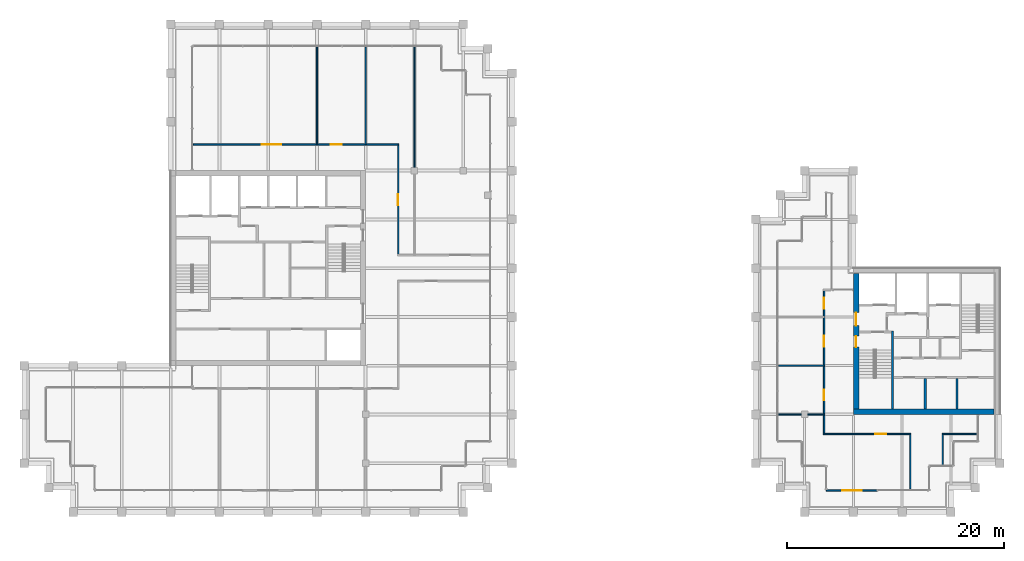
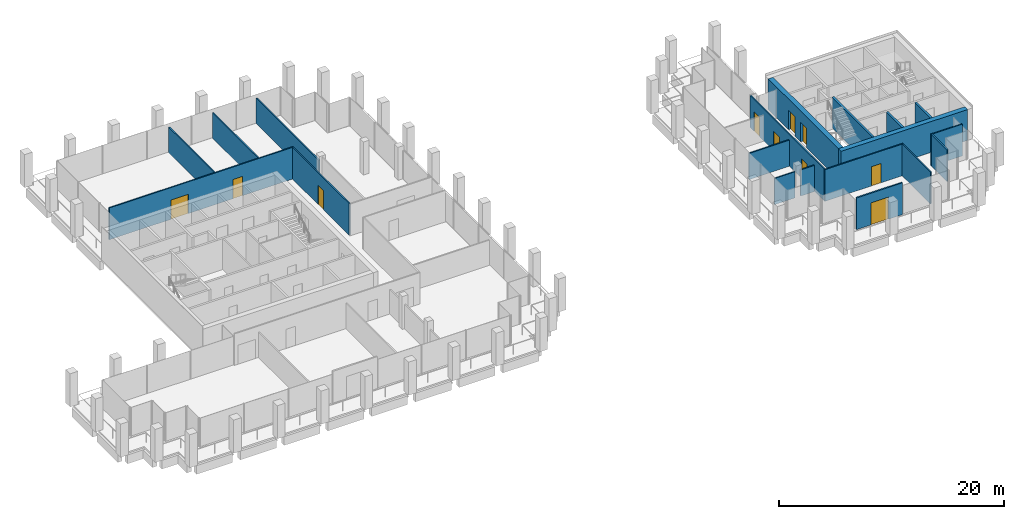
# One storey, part 37 of 40: 19 walls, 10 doors, 10 openings.
"""IFC4 building model written with IfcOpenShell, lengths in metres."""

from ifc_helpers import new_model, si_unit, direction, frame, frame_2d, origin, place, context, subcontext, project, spatial, rectangle, extrude, material, layer, layer_set, type_object, element, fill, save


model = new_model("IFC4")

# Units and contexts
model_context = context("Model", 3, precision=1e-05, world=origin(), true_north=direction((0.0, 1.0)))
body_context = subcontext(model_context, "Body", "Model", "MODEL_VIEW")
ifc_project = project(units=[si_unit("LENGTHUNIT", "METRE"), si_unit("AREAUNIT", "SQUARE_METRE"), si_unit("VOLUMEUNIT", "CUBIC_METRE"), si_unit("PLANEANGLEUNIT", "RADIAN"), si_unit("MASSUNIT", "GRAM", prefix="KILO")], contexts=[model_context])

# Site, building, storey
site_placement = place(None, origin())
site = spatial("IfcSite", under=ifc_project, at=site_placement, CompositionType="ELEMENT")
building_placement = place(site_placement, origin())
building = spatial("IfcBuilding", under=site, at=building_placement, Name="Altepetl Exchange Towers", CompositionType="ELEMENT")
storey_placement = place(building_placement, frame((0.0, 0.0, 199.199951171875)))
storey = spatial("IfcBuildingStorey", under=building, at=storey_placement, Name="L50", CompositionType="ELEMENT", Elevation=199.199951171875)

# Wall
ifc_material_1 = material(Name="Concrete C70/85", Category="concrete")
ifc_layer_1 = layer(ifc_material_1, 0.5)
ifc_layer_set_1 = layer_set([ifc_layer_1], Name="Concrete C70/85")
wall_type_1 = type_object("IfcWallType", Name="Core wall 500 reinforced concrete", PredefinedType="SHEAR", material=ifc_layer_set_1)
wall_1_placement = place(storey_placement, frame((103.5, 36.25, 0.0)))
element("IfcWall", 1, at=wall_1_placement, inside=storey, type_object=wall_type_1, Name="wall:B:L50:K-coreS", PredefinedType="SHEAR", context=body_context, shape_type="SweptSolid", body=[
    extrude(rectangle(XDim=13.0, YDim=0.5, at=frame_2d((6.5, 0.0))), origin(), (0.0, 0.0, 1.0), 3.35009765625),
])

# Wall, openings, doors
wall_2_placement = place(storey_placement, frame((103.75, 36.5, 0.0), z_axis=(0.0, 0.0, 1.0), x_axis=(0.0, 1.0, 0.0)))
wall_2 = element("IfcWall", 2, at=wall_2_placement, inside=storey, type_object=wall_type_1, Name="wall:B:L50:K-coreW", PredefinedType="SHEAR", context=body_context, shape_type="SweptSolid", body=[
    extrude(rectangle(XDim=12.5, YDim=0.5, at=frame_2d((6.25, 0.0))), origin(), (0.0, 0.0, 1.0), 3.35009765625),
])
opening_1_placement = place(wall_2_placement, frame((7.699951171875, 0.0, 0.0)))
opening_1 = element("IfcOpeningElement", 3, at=opening_1_placement, cuts=wall_2, Name="Opening L50.B60", PredefinedType="OPENING", context=body_context, shape_type="SweptSolid", body=[
    extrude(rectangle(XDim=1.199951171875, YDim=2.10009765625, at=frame_2d((0.60009765625, 1.050048828125))), frame((0.0, 0.260009765625, 0.0), z_axis=(0.0, -1.0, 0.0), x_axis=(1.0, 0.0, 0.0)), (0.0, 0.0, 1.0), 0.52001953125),
])
opening_2_placement = place(wall_2_placement, frame((5.72509765625, 0.0, 0.0)))
opening_2 = element("IfcOpeningElement", 4, at=opening_2_placement, cuts=wall_2, Name="Opening L50.B62", PredefinedType="OPENING", context=body_context, shape_type="SweptSolid", body=[
    extrude(rectangle(XDim=1.0, YDim=2.10009765625, at=frame_2d((0.5, 1.050048828125))), frame((0.0, 0.260009765625, 0.0), z_axis=(0.0, -1.0, 0.0), x_axis=(1.0, 0.0, 0.0)), (0.0, 0.0, 1.0), 0.52001953125),
])
ifc_material_2 = material(Name="Steel and timber fire door", Category="steel")
door_type_1 = type_object("IfcDoorType", Name="Fire door 1000 x 2100 stair and lobby", OperationType="SINGLE_SWING_LEFT", PredefinedType="DOOR", material=ifc_material_2)
door_1_placement = place(opening_2_placement, frame((1.0, 0.0, 0.0), x_axis=(-1.0, 0.0, 0.0)))
door_1 = element("IfcDoor", 5, at=door_1_placement, inside=storey, type_object=door_type_1, Name="door:B:L50:K-dS1x", OperationType="SINGLE_SWING_RIGHT", OverallHeight=2.10009765625, OverallWidth=1.0, PredefinedType="DOOR", context=body_context, shape_type="SweptSolid", body=[
    extrude(rectangle(XDim=1.0, YDim=2.10009765625, at=frame_2d((0.5, 1.050048828125))), frame((0.0, 0.02490234375, 0.0), z_axis=(0.0, -1.0, 0.0), x_axis=(1.0, 0.0, 0.0)), (0.0, 0.0, 1.0), 0.050048828125),
])
fill(opening_2, door_1)
door_type_2 = type_object("IfcDoorType", Name="Fire door 1200 x 2100 lobby entry", OperationType="SINGLE_SWING_LEFT", PredefinedType="DOOR", material=ifc_material_2)
door_2_placement = place(opening_1_placement, frame((1.199951171875, 0.0, 0.0), x_axis=(-1.0, 0.0, 0.0)))
door_2 = element("IfcDoor", 6, at=door_2_placement, inside=storey, type_object=door_type_2, Name="door:B:L50:K-dLNW", OperationType="SINGLE_SWING_RIGHT", OverallHeight=2.10009765625, OverallWidth=1.199951171875, PredefinedType="DOOR", context=body_context, shape_type="SweptSolid", body=[
    extrude(rectangle(XDim=1.199951171875, YDim=2.10009765625, at=frame_2d((0.60009765625, 1.050048828125))), frame((0.0, 0.02490234375, 0.0), z_axis=(0.0, -1.0, 0.0), x_axis=(1.0, 0.0, 0.0)), (0.0, 0.0, 1.0), 0.050048828125),
])
fill(opening_1, door_2)

# Wall, opening, door
ifc_material_3 = material(Name="Aluminium composite cladding", Category="aluminium")
ifc_layer_2 = layer(ifc_material_3, 0.14990234375)
ifc_layer_set_2 = layer_set([ifc_layer_2], Name="Aluminium composite cladding")
wall_type_2 = type_object("IfcWallType", Name="Infill wall 150 aluminium panel", PredefinedType="SOLIDWALL", material=ifc_layer_set_2)
wall_3_placement = place(storey_placement, frame((101.0, 29.0, 0.0)))
wall_3 = element("IfcWall", 7, at=wall_3_placement, inside=storey, type_object=wall_type_2, Name="Loggia door bay wall", PredefinedType="SOLIDWALL", context=body_context, shape_type="SweptSolid", body=[
    extrude(rectangle(XDim=4.71240234375, YDim=0.14990234375, at=frame_2d((2.356201171875, 0.0))), origin(), (0.0, 0.0, 1.0), 3.449951171875),
])
opening_3_placement = place(wall_3_placement, frame((1.456298828125, 0.0, 0.0)))
opening_3 = element("IfcOpeningElement", 8, at=opening_3_placement, cuts=wall_3, Name="Opening L50.B90", PredefinedType="OPENING", context=body_context, shape_type="SweptSolid", body=[
    extrude(rectangle(XDim=1.800048828125, YDim=2.39990234375, at=frame_2d((0.89990234375, 1.199951171875))), frame((0.0, 0.0849609375, 0.0), z_axis=(0.0, -1.0, 0.0), x_axis=(1.0, 0.0, 0.0)), (0.0, 0.0, 1.0), 0.169921875),
])
ifc_material_4 = material(Name="Aluminium 6063-T6 and glass", Category="aluminium")
door_type_3 = type_object("IfcDoorType", Name="Glazed door pair 1800x2400", OperationType="DOUBLE_DOOR_DOUBLE_SWING", PredefinedType="NOTDEFINED", material=ifc_material_4)
door_3_placement = place(opening_3_placement, frame((1.800048828125, 0.0, 0.0), x_axis=(-1.0, 0.0, 0.0)))
door_3 = element("IfcDoor", 9, at=door_3_placement, inside=storey, type_object=door_type_3, Name="Loggia door", OperationType="DOUBLE_DOOR_DOUBLE_SWING", OverallHeight=2.39990234375, OverallWidth=1.800048828125, PredefinedType="NOTDEFINED", context=body_context, shape_type="SweptSolid", body=[
    extrude(rectangle(XDim=1.800048828125, YDim=2.39990234375, at=frame_2d((0.89990234375, 1.199951171875))), frame((0.0, 0.02490234375, 0.0), z_axis=(0.0, -1.0, 0.0), x_axis=(1.0, 0.0, 0.0)), (0.0, 0.0, 1.0), 0.050048828125),
])
fill(opening_3, door_3)

# Wall, openings, doors
ifc_material_5 = material(Name="Gypsum board on steel studs", Category="steel")
ifc_layer_3 = layer(ifc_material_5, 0.125)
ifc_layer_set_3 = layer_set([ifc_layer_3], Name="Gypsum board on steel studs")
wall_type_3 = type_object("IfcWallType", Name="Partition 125 gypsum board on steel studs", PredefinedType="PARTITIONING", material=ifc_layer_set_3)
wall_4_placement = place(storey_placement, frame((42.60009765625, 60.89990234375, 0.0)))
wall_4 = element("IfcWall", 10, at=wall_4_placement, inside=storey, type_object=wall_type_3, Name="wall:A:L50:P05", PredefinedType="PARTITIONING", context=body_context, shape_type="SweptSolid", body=[
    extrude(rectangle(XDim=18.96240234375, YDim=0.125, at=frame_2d((9.481201171875, 0.0))), origin(), (0.0, 0.0, 1.0), 3.449951171875),
])
opening_4_placement = place(wall_4_placement, frame((12.695068359375, 0.0, 0.0)))
opening_4 = element("IfcOpeningElement", 11, at=opening_4_placement, cuts=wall_4, Name="Opening L50.A08", PredefinedType="OPENING", context=body_context, shape_type="SweptSolid", body=[
    extrude(rectangle(XDim=1.0, YDim=2.10009765625, at=frame_2d((0.5, 1.050048828125))), frame((0.0, 0.072509765625, 0.0), z_axis=(0.0, -1.0, 0.0), x_axis=(1.0, 0.0, 0.0)), (0.0, 0.0, 1.0), 0.14501953125),
])
opening_5_placement = place(wall_4_placement, frame((6.322021484375, 0.0, 0.0)))
opening_5 = element("IfcOpeningElement", 12, at=opening_5_placement, cuts=wall_4, Name="Opening L50.A09", PredefinedType="OPENING", context=body_context, shape_type="SweptSolid", body=[
    extrude(rectangle(XDim=1.800048828125, YDim=2.10009765625, at=frame_2d((0.89990234375, 1.050048828125))), frame((0.0, 0.072509765625, 0.0), z_axis=(0.0, -1.0, 0.0), x_axis=(1.0, 0.0, 0.0)), (0.0, 0.0, 1.0), 0.14501953125),
])
door_type_4 = type_object("IfcDoorType", Name="Fire door 1000 x 2100 single leaf", OperationType="SINGLE_SWING_LEFT", PredefinedType="DOOR", material=ifc_material_2)
door_4_placement = place(opening_4_placement, origin())
door_4 = element("IfcDoor", 13, at=door_4_placement, inside=storey, type_object=door_type_4, Name="door:A:L50:08", OperationType="SINGLE_SWING_LEFT", OverallHeight=2.10009765625, OverallWidth=1.0, PredefinedType="DOOR", context=body_context, shape_type="SweptSolid", body=[
    extrude(rectangle(XDim=1.0, YDim=2.10009765625, at=frame_2d((0.5, 1.050048828125))), frame((0.0, 0.02490234375, 0.0), z_axis=(0.0, -1.0, 0.0), x_axis=(1.0, 0.0, 0.0)), (0.0, 0.0, 1.0), 0.050048828125),
])
fill(opening_4, door_4)
door_type_5 = type_object("IfcDoorType", Name="Fire door 1800 x 2100 double leaf", OperationType="DOUBLE_DOOR_SINGLE_SWING", PredefinedType="DOOR", material=ifc_material_2)
door_5_placement = place(opening_5_placement, origin())
door_5 = element("IfcDoor", 14, at=door_5_placement, inside=storey, type_object=door_type_5, Name="door:A:L50:09", OperationType="DOUBLE_DOOR_SINGLE_SWING", OverallHeight=2.10009765625, OverallWidth=1.800048828125, PredefinedType="DOOR", context=body_context, shape_type="SweptSolid", body=[
    extrude(rectangle(XDim=1.800048828125, YDim=2.10009765625, at=frame_2d((0.89990234375, 1.050048828125))), frame((0.0, 0.02490234375, 0.0), z_axis=(0.0, -1.0, 0.0), x_axis=(1.0, 0.0, 0.0)), (0.0, 0.0, 1.0), 0.050048828125),
])
fill(opening_5, door_5)

# Walls
for number, where, z_axis, x_axis, name in (
    (15, (54.0, 60.89990234375, 0.0), (0.0, 0.0, 1.0), (0.0, 1.0, 0.0), "wall:A:L50:P08"),
    (16, (58.5, 60.89990234375, 0.0), (0.0, 0.0, 1.0), (0.0, 1.0, 0.0), "wall:A:L50:P12"),
):
    element("IfcWall", number, at=place(storey_placement, frame(where, z_axis=z_axis, x_axis=x_axis)), inside=storey, type_object=wall_type_3, Name=name, PredefinedType="PARTITIONING", context=body_context, shape_type="SweptSolid", body=[
        extrude(rectangle(XDim=9.0, YDim=0.125, at=frame_2d((4.5, 0.0))), origin(), (0.0, 0.0, 1.0), 2.77197265625),
    ])

# Wall, opening, door
wall_5_placement = place(storey_placement, frame((61.5, 50.762451171875, 0.0), z_axis=(0.0, 0.0, 1.0), x_axis=(0.0, 1.0, 0.0)))
wall_5 = element("IfcWall", 17, at=wall_5_placement, inside=storey, type_object=wall_type_3, Name="wall:A:L50:P14", PredefinedType="PARTITIONING", context=body_context, shape_type="SweptSolid", body=[
    extrude(rectangle(XDim=10.074951171875, YDim=0.125, at=frame_2d((5.03759765625, 0.0))), origin(), (0.0, 0.0, 1.0), 3.449951171875),
])
opening_6_placement = place(wall_5_placement, frame((4.53759765625, 0.0, 0.0)))
opening_6 = element("IfcOpeningElement", 18, at=opening_6_placement, cuts=wall_5, Name="Opening L50.A07", PredefinedType="OPENING", context=body_context, shape_type="SweptSolid", body=[
    extrude(rectangle(XDim=1.0, YDim=2.10009765625, at=frame_2d((0.5, 1.050048828125))), frame((0.0, 0.072509765625, 0.0), z_axis=(0.0, -1.0, 0.0), x_axis=(1.0, 0.0, 0.0)), (0.0, 0.0, 1.0), 0.14501953125),
])
door_6_placement = place(opening_6_placement, frame((1.0, 0.0, 0.0), x_axis=(-1.0, 0.0, 0.0)))
door_6 = element("IfcDoor", 19, at=door_6_placement, inside=storey, type_object=door_type_4, Name="door:A:L50:07", OperationType="SINGLE_SWING_RIGHT", OverallHeight=2.10009765625, OverallWidth=1.0, PredefinedType="DOOR", context=body_context, shape_type="SweptSolid", body=[
    extrude(rectangle(XDim=1.0, YDim=2.10009765625, at=frame_2d((0.5, 1.050048828125))), frame((0.0, 0.02490234375, 0.0), z_axis=(0.0, -1.0, 0.0), x_axis=(1.0, 0.0, 0.0)), (0.0, 0.0, 1.0), 0.050048828125),
])
fill(opening_6, door_6)

# Wall
wall_6_placement = place(storey_placement, frame((63.0, 58.800048828125, 0.0), z_axis=(0.0, 0.0, 1.0), x_axis=(0.0, 1.0, 0.0)))
element("IfcWall", 20, at=wall_6_placement, inside=storey, type_object=wall_type_3, Name="wall:A:L50:P16", PredefinedType="PARTITIONING", context=body_context, shape_type="SweptSolid", body=[
    extrude(rectangle(XDim=11.099853515625, YDim=0.125, at=frame_2d((5.5498046875, 0.0))), origin(), (0.0, 0.0, 1.0), 2.77197265625),
])

# Wall, opening, door
wall_7_placement = place(storey_placement, frame((100.737548828125, 34.199951171875, 0.0)))
wall_7 = element("IfcWall", 21, at=wall_7_placement, inside=storey, type_object=wall_type_3, Name="wall:B:L50:P01", PredefinedType="PARTITIONING", context=body_context, shape_type="SweptSolid", body=[
    extrude(rectangle(XDim=8.074951171875, YDim=0.125, at=frame_2d((4.03759765625, 0.0))), origin(), (0.0, 0.0, 1.0), 3.449951171875),
])
opening_7_placement = place(wall_7_placement, frame((4.79150390625, 0.0, 0.0)))
opening_7 = element("IfcOpeningElement", 22, at=opening_7_placement, cuts=wall_7, Name="Opening L50.B03", PredefinedType="OPENING", context=body_context, shape_type="SweptSolid", body=[
    extrude(rectangle(XDim=1.0, YDim=2.10009765625, at=frame_2d((0.5, 1.050048828125))), frame((0.0, 0.072509765625, 0.0), z_axis=(0.0, -1.0, 0.0), x_axis=(1.0, 0.0, 0.0)), (0.0, 0.0, 1.0), 0.14501953125),
])
door_7_placement = place(opening_7_placement, frame((1.0, 0.0, 0.0), x_axis=(-1.0, 0.0, 0.0)))
door_7 = element("IfcDoor", 23, at=door_7_placement, inside=storey, type_object=door_type_4, Name="door:B:L50:03", OperationType="SINGLE_SWING_LEFT", OverallHeight=2.10009765625, OverallWidth=1.0, PredefinedType="DOOR", context=body_context, shape_type="SweptSolid", body=[
    extrude(rectangle(XDim=1.0, YDim=2.10009765625, at=frame_2d((0.5, 1.050048828125))), frame((0.0, 0.02490234375, 0.0), z_axis=(0.0, -1.0, 0.0), x_axis=(1.0, 0.0, 0.0)), (0.0, 0.0, 1.0), 0.050048828125),
])
fill(opening_7, door_7)

# Walls
wall_8_placement = place(storey_placement, frame((111.6875, 34.199951171875, 0.0)))
element("IfcWall", 24, at=wall_8_placement, inside=storey, type_object=wall_type_3, Name="wall:B:L50:P02", PredefinedType="PARTITIONING", context=body_context, shape_type="SweptSolid", body=[
    extrude(rectangle(XDim=3.21240234375, YDim=0.125, at=frame_2d((1.606201171875, 0.0))), origin(), (0.0, 0.0, 1.0), 3.449951171875),
])
wall_9_placement = place(storey_placement, frame((96.60009765625, 36.0, 0.0)))
element("IfcWall", 25, at=wall_9_placement, inside=storey, type_object=wall_type_3, Name="wall:B:L50:P03", PredefinedType="PARTITIONING", context=body_context, shape_type="SweptSolid", body=[
    extrude(rectangle(XDim=2.099853515625, YDim=0.125, at=frame_2d((1.0498046875, 0.0))), origin(), (0.0, 0.0, 1.0), 2.842041015625),
])
wall_10_placement = place(storey_placement, frame((99.300048828125, 36.0, 0.0)))
element("IfcWall", 26, at=wall_10_placement, inside=storey, type_object=wall_type_3, Name="wall:B:L50:P04", PredefinedType="PARTITIONING", context=body_context, shape_type="SweptSolid", body=[
    extrude(rectangle(XDim=1.5, YDim=0.125, at=frame_2d((0.75, 0.0))), origin(), (0.0, 0.0, 1.0), 2.842041015625),
])
wall_11_placement = place(storey_placement, frame((96.60009765625, 40.5, 0.0)))
element("IfcWall", 27, at=wall_11_placement, inside=storey, type_object=wall_type_3, Name="wall:B:L50:P05", PredefinedType="PARTITIONING", context=body_context, shape_type="SweptSolid", body=[
    extrude(rectangle(XDim=4.199951171875, YDim=0.125, at=frame_2d((2.10009765625, 0.0))), origin(), (0.0, 0.0, 1.0), 2.85107421875),
])

# Wall, openings, doors
wall_12_placement = place(storey_placement, frame((100.800048828125, 34.262451171875, 0.0), z_axis=(0.0, 0.0, 1.0), x_axis=(0.0, 1.0, 0.0)))
wall_12 = element("IfcWall", 28, at=wall_12_placement, inside=storey, type_object=wall_type_3, Name="wall:B:L50:P08", PredefinedType="PARTITIONING", context=body_context, shape_type="SweptSolid", body=[
    extrude(rectangle(XDim=13.175048828125, YDim=0.125, at=frame_2d((6.58740234375, 0.0))), origin(), (0.0, 0.0, 1.0), 3.449951171875),
])
opening_8_placement = place(wall_12_placement, frame((7.987548828125, 0.0, 0.0)))
opening_8 = element("IfcOpeningElement", 29, at=opening_8_placement, cuts=wall_12, Name="Opening L50.B01", PredefinedType="OPENING", context=body_context, shape_type="SweptSolid", body=[
    extrude(rectangle(XDim=1.0, YDim=2.10009765625, at=frame_2d((0.5, 1.050048828125))), frame((0.0, 0.072509765625, 0.0), z_axis=(0.0, -1.0, 0.0), x_axis=(1.0, 0.0, 0.0)), (0.0, 0.0, 1.0), 0.14501953125),
])
opening_9_placement = place(wall_12_placement, frame((3.032470703125, 0.0, 0.0)))
opening_9 = element("IfcOpeningElement", 30, at=opening_9_placement, cuts=wall_12, Name="Opening L50.B02", PredefinedType="OPENING", context=body_context, shape_type="SweptSolid", body=[
    extrude(rectangle(XDim=1.0, YDim=2.10009765625, at=frame_2d((0.5, 1.050048828125))), frame((0.0, 0.072509765625, 0.0), z_axis=(0.0, -1.0, 0.0), x_axis=(1.0, 0.0, 0.0)), (0.0, 0.0, 1.0), 0.14501953125),
])
opening_10_placement = place(wall_12_placement, frame((11.487548828125, 0.0, 0.0)))
opening_10 = element("IfcOpeningElement", 31, at=opening_10_placement, cuts=wall_12, Name="Opening L50.B04", PredefinedType="OPENING", context=body_context, shape_type="SweptSolid", body=[
    extrude(rectangle(XDim=1.0, YDim=2.10009765625, at=frame_2d((0.5, 1.050048828125))), frame((0.0, 0.072509765625, 0.0), z_axis=(0.0, -1.0, 0.0), x_axis=(1.0, 0.0, 0.0)), (0.0, 0.0, 1.0), 0.14501953125),
])
door_8_placement = place(opening_8_placement, origin())
door_8 = element("IfcDoor", 32, at=door_8_placement, inside=storey, type_object=door_type_4, Name="door:B:L50:01", OperationType="SINGLE_SWING_RIGHT", OverallHeight=2.10009765625, OverallWidth=1.0, PredefinedType="DOOR", context=body_context, shape_type="SweptSolid", body=[
    extrude(rectangle(XDim=1.0, YDim=2.10009765625, at=frame_2d((0.5, 1.050048828125))), frame((0.0, 0.02490234375, 0.0), z_axis=(0.0, -1.0, 0.0), x_axis=(1.0, 0.0, 0.0)), (0.0, 0.0, 1.0), 0.050048828125),
])
fill(opening_8, door_8)
door_9_placement = place(opening_9_placement, origin())
door_9 = element("IfcDoor", 33, at=door_9_placement, inside=storey, type_object=door_type_4, Name="door:B:L50:02", OperationType="SINGLE_SWING_LEFT", OverallHeight=2.10009765625, OverallWidth=1.0, PredefinedType="DOOR", context=body_context, shape_type="SweptSolid", body=[
    extrude(rectangle(XDim=1.0, YDim=2.10009765625, at=frame_2d((0.5, 1.050048828125))), frame((0.0, 0.02490234375, 0.0), z_axis=(0.0, -1.0, 0.0), x_axis=(1.0, 0.0, 0.0)), (0.0, 0.0, 1.0), 0.050048828125),
])
fill(opening_9, door_9)
door_10_placement = place(opening_10_placement, origin())
door_10 = element("IfcDoor", 34, at=door_10_placement, inside=storey, type_object=door_type_4, Name="door:B:L50:04", OperationType="SINGLE_SWING_LEFT", OverallHeight=2.10009765625, OverallWidth=1.0, PredefinedType="DOOR", context=body_context, shape_type="SweptSolid", body=[
    extrude(rectangle(XDim=1.0, YDim=2.10009765625, at=frame_2d((0.5, 1.050048828125))), frame((0.0, 0.02490234375, 0.0), z_axis=(0.0, -1.0, 0.0), x_axis=(1.0, 0.0, 0.0)), (0.0, 0.0, 1.0), 0.050048828125),
])
fill(opening_10, door_10)

# Walls
wall_13_placement = place(storey_placement, frame((108.75, 29.10009765625, 0.0), z_axis=(0.0, 0.0, 1.0), x_axis=(0.0, 1.0, 0.0)))
element("IfcWall", 35, at=wall_13_placement, inside=storey, type_object=wall_type_3, Name="wall:B:L50:P09", PredefinedType="PARTITIONING", context=body_context, shape_type="SweptSolid", body=[
    extrude(rectangle(XDim=5.037353515625, YDim=0.125, at=frame_2d((2.5185546875, 0.0))), origin(), (0.0, 0.0, 1.0), 3.449951171875),
])
wall_14_placement = place(storey_placement, frame((111.75, 31.35009765625, 0.0), z_axis=(0.0, 0.0, 1.0), x_axis=(0.0, 1.0, 0.0)))
element("IfcWall", 36, at=wall_14_placement, inside=storey, type_object=wall_type_3, Name="wall:B:L50:P10", PredefinedType="PARTITIONING", context=body_context, shape_type="SweptSolid", body=[
    extrude(rectangle(XDim=2.787353515625, YDim=0.125, at=frame_2d((1.3935546875, 0.0))), origin(), (0.0, 0.0, 1.0), 3.449951171875),
])
ifc_layer_4 = layer(ifc_material_1, 0.199951171875)
ifc_layer_set_4 = layer_set([ifc_layer_4], Name="Concrete C70/85")
wall_type_4 = type_object("IfcWallType", Name="Shear wall 200 reinforced concrete", PredefinedType="SHEAR", material=ifc_layer_set_4)
for number, where, z_axis, x_axis, name in (
    (37, (110.13330078125, 36.5, 0.0), (0.0, 0.0, 1.0), (0.0, 1.0, 0.0), "wall:B:L50:K-divS1"),
    (38, (113.066650390625, 36.5, 0.0), (0.0, 0.0, 1.0), (0.0, 1.0, 0.0), "wall:B:L50:K-divS2"),
):
    element("IfcWall", number, at=place(storey_placement, frame(where, z_axis=z_axis, x_axis=x_axis)), inside=storey, type_object=wall_type_4, Name=name, PredefinedType="SHEAR", context=body_context, shape_type="SweptSolid", body=[
        extrude(rectangle(XDim=2.800048828125, YDim=0.199951171875, at=frame_2d((1.39990234375, 0.0))), origin(), (0.0, 0.0, 1.0), 3.35009765625),
    ])
ifc_material_6 = material(Name="Concrete C40/50", Category="concrete")
ifc_layer_5 = layer(ifc_material_6, 0.199951171875)
ifc_layer_set_5 = layer_set([ifc_layer_5], Name="Concrete C40/50")
wall_type_5 = type_object("IfcWallType", Name="Stair wall 200 reinforced concrete", PredefinedType="SHEAR", material=ifc_layer_set_5)
wall_15_placement = place(storey_placement, frame((107.10009765625, 36.5, 0.0), z_axis=(0.0, 0.0, 1.0), x_axis=(0.0, 1.0, 0.0)))
element("IfcWall", 39, at=wall_15_placement, inside=storey, type_object=wall_type_5, Name="wall:B:L50:K-stS1E", PredefinedType="SHEAR", context=body_context, shape_type="SweptSolid", body=[
    extrude(rectangle(XDim=7.199951171875, YDim=0.199951171875, at=frame_2d((3.60009765625, 0.0))), origin(), (0.0, 0.0, 1.0), 3.35009765625),
])

save(model, "model.ifc")
